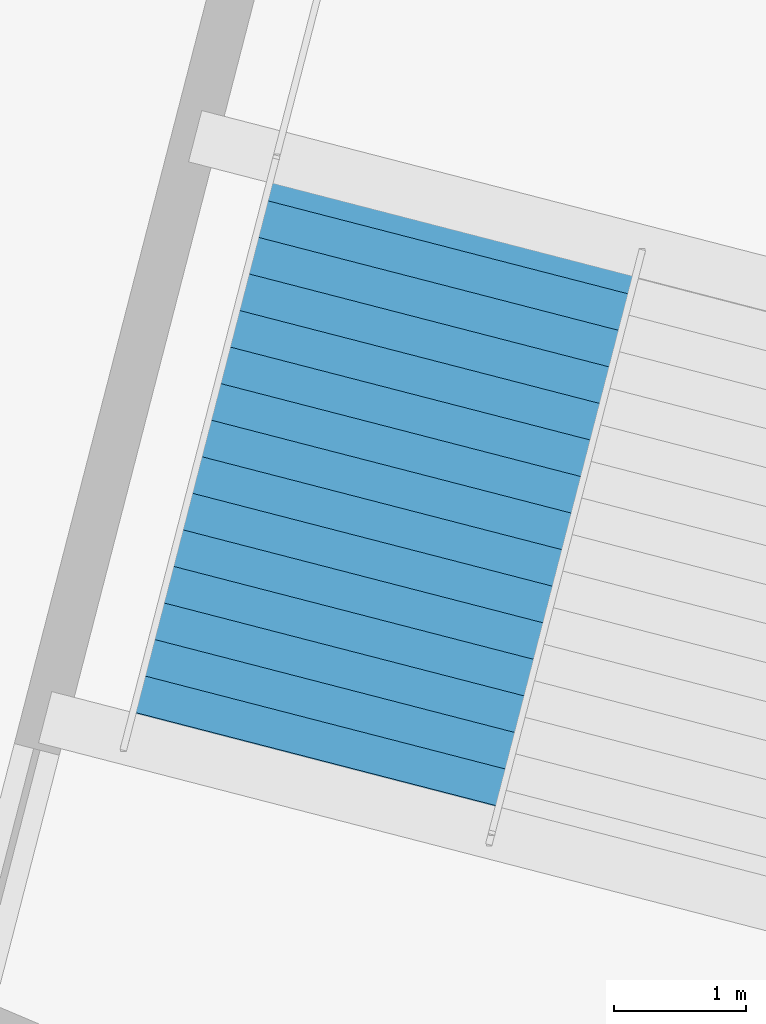
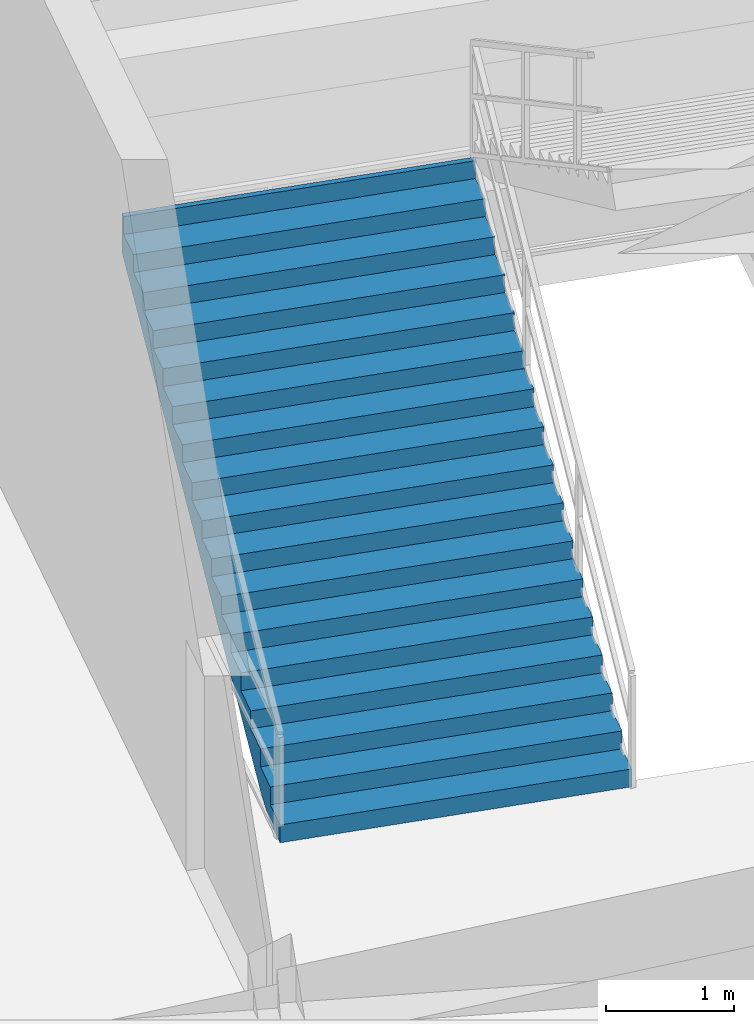
# One storey, part 29 of 48: 1 stair flight, 1 element without a shape of its own.
"""IFC4 building model written with IfcOpenShell, lengths in metres."""

from ifc_helpers import new_model, si_unit, direction, frame, origin, place, context, subcontext, project, spatial, polygons, material, type_object, element, aggregate, save


model = new_model("IFC4")

# Units and contexts
model_context = context("Model", 3, precision=1e-05, world=origin(), true_north=direction((0.0, 1.0)))
body_context = subcontext(model_context, "Body", "Model", "MODEL_VIEW")
ifc_project = project(units=[si_unit("LENGTHUNIT", "METRE"), si_unit("AREAUNIT", "SQUARE_METRE"), si_unit("VOLUMEUNIT", "CUBIC_METRE"), si_unit("PLANEANGLEUNIT", "RADIAN"), si_unit("MASSUNIT", "GRAM", prefix="KILO")], contexts=[model_context])

# Site, building, storey
site_placement = place(None, origin())
site = spatial("IfcSite", under=ifc_project, at=site_placement, CompositionType="ELEMENT")
building_placement = place(site_placement, origin())
building = spatial("IfcBuilding", under=site, at=building_placement, Name="Kazemori Nagisa Stadium", CompositionType="ELEMENT")
storey_placement = place(building_placement, origin())
storey = spatial("IfcBuildingStorey", under=building, at=storey_placement, Name="L00", CompositionType="ELEMENT", Elevation=0.0)

# Stair, stair flight
ifc_material = material(Name="Concrete C36/45 (Fc36)", Category="concrete")
stair_type = type_object("IfcStairType", Name="Stair_CORE_34", PredefinedType="TWO_STRAIGHT_RUN_STAIR", material=ifc_material)
stair_placement = place(storey_placement, origin())
stair = element("IfcStair", 1, at=stair_placement, inside=storey, type_object=stair_type, Name="Exit stair ST10 L00", PredefinedType="TWO_STRAIGHT_RUN_STAIR")
stair_flight_type = type_object("IfcStairFlightType", Name="Flight_CORE_17", PredefinedType="STRAIGHT", material=ifc_material)
stair_flight_placement = place(storey_placement, frame((205.068359375, 69.982666015625, 0.0), z_axis=(0.0, 0.0, 1.0), x_axis=(0.24997355226, 0.968252664944, 0.0)))
stair_flight = element("IfcStairFlight", 2, at=stair_flight_placement, type_object=stair_flight_type, Name="Exit stair ST10 L00 flight 1", NumberOfRisers=17, NumberOfTreads=16, PredefinedType="STRAIGHT", RiserHeight=0.17, TreadLength=0.285, context=body_context, shape_type="Tessellation", body=[
    polygons([(0.0, -1.425048828125, 0.0), (0.0, -1.425048828125, 0.169921875), (0.284912109375, -1.425048828125, 0.169921875), (0.284912109375, -1.425048828125, 0.340087890625), (0.570068359375, -1.425048828125, 0.340087890625), (0.570068359375, -1.425048828125, 0.510009765625), (0.85498046875, -1.425048828125, 0.510009765625), (0.85498046875, -1.425048828125, 0.679931640625), (1.139892578125, -1.425048828125, 0.679931640625), (1.139892578125, -1.425048828125, 0.85009765625), (1.425048828125, -1.425048828125, 0.85009765625), (1.425048828125, -1.425048828125, 1.02001953125), (1.7099609375, -1.425048828125, 1.02001953125), (1.7099609375, -1.425048828125, 1.18994140625), (1.9951171875, -1.425048828125, 1.18994140625), (1.9951171875, -1.425048828125, 1.360107421875), (2.280029296875, -1.425048828125, 1.360107421875), (2.280029296875, -1.425048828125, 1.530029296875), (2.56494140625, -1.425048828125, 1.530029296875), (2.56494140625, -1.425048828125, 1.699951171875), (2.85009765625, -1.425048828125, 1.699951171875), (2.85009765625, -1.425048828125, 1.8701171875), (3.135009765625, -1.425048828125, 1.8701171875), (3.135009765625, -1.425048828125, 2.0400390625), (3.419921875, -1.425048828125, 2.0400390625), (3.419921875, -1.425048828125, 2.2099609375), (3.705078125, -1.425048828125, 2.2099609375), (3.705078125, -1.425048828125, 2.3798828125), (3.989990234375, -1.425048828125, 2.3798828125), (3.989990234375, -1.425048828125, 2.550048828125), (4.27490234375, -1.425048828125, 2.550048828125), (4.27490234375, -1.425048828125, 2.719970703125), (4.56005859375, -1.425048828125, 2.719970703125), (4.56005859375, -1.425048828125, 2.889892578125), (4.610107421875, -1.425048828125, 2.889892578125), (4.610107421875, -1.425048828125, 2.51708984375), (4.56005859375, -1.425048828125, 2.487060546875), (4.27490234375, -1.425048828125, 2.317138671875), (3.989990234375, -1.425048828125, 2.147216796875), (3.705078125, -1.425048828125, 1.977294921875), (3.419921875, -1.425048828125, 1.80712890625), (3.135009765625, -1.425048828125, 1.63720703125), (2.85009765625, -1.425048828125, 1.46728515625), (2.56494140625, -1.425048828125, 1.297119140625), (2.280029296875, -1.425048828125, 1.127197265625), (1.9951171875, -1.425048828125, 0.957275390625), (1.7099609375, -1.425048828125, 0.787109375), (1.425048828125, -1.425048828125, 0.6171875), (1.139892578125, -1.425048828125, 0.447265625), (0.85498046875, -1.425048828125, 0.277099609375), (0.570068359375, -1.425048828125, 0.107177734375), (0.284912109375, -1.425048828125, 0.0), (0.0, -0.08544921875, 0.0), (0.0, -0.08544921875, 0.169921875), (0.284912109375, -0.08544921875, 0.169921875), (0.284912109375, -0.08544921875, 0.340087890625), (0.570068359375, -0.08544921875, 0.340087890625), (0.570068359375, -0.08544921875, 0.510009765625), (0.85498046875, -0.08544921875, 0.510009765625), (0.85498046875, -0.08544921875, 0.679931640625), (1.139892578125, -0.08544921875, 0.679931640625), (1.139892578125, -0.08544921875, 0.85009765625), (1.425048828125, -0.08544921875, 0.85009765625), (1.425048828125, -0.08544921875, 1.02001953125), (1.7099609375, -0.08544921875, 1.02001953125), (1.7099609375, -0.08544921875, 1.18994140625), (1.9951171875, -0.08544921875, 1.18994140625), (1.9951171875, -0.08544921875, 1.360107421875), (2.280029296875, -0.08544921875, 1.360107421875), (2.280029296875, -0.08544921875, 1.530029296875), (2.56494140625, -0.08544921875, 1.530029296875), (2.56494140625, -0.08544921875, 1.699951171875), (2.85009765625, -0.08544921875, 1.699951171875), (2.85009765625, -0.08544921875, 1.8701171875), (3.135009765625, -0.08544921875, 1.8701171875), (3.135009765625, -0.08544921875, 2.0400390625), (3.419921875, -0.08544921875, 2.0400390625), (3.419921875, -0.08544921875, 2.2099609375), (3.705078125, -0.08544921875, 2.2099609375), (3.705078125, -0.08544921875, 2.3798828125), (3.989990234375, -0.08544921875, 2.3798828125), (3.989990234375, -0.08544921875, 2.550048828125), (4.27490234375, -0.08544921875, 2.550048828125), (4.27490234375, -0.08544921875, 2.719970703125), (4.56005859375, -0.08544921875, 2.719970703125), (4.56005859375, -0.08544921875, 2.889892578125), (4.610107421875, -0.08544921875, 2.889892578125), (4.610107421875, -0.08544921875, 2.51708984375), (4.56005859375, -0.08544921875, 2.487060546875), (4.27490234375, -0.08544921875, 2.317138671875), (3.989990234375, -0.08544921875, 2.147216796875), (3.705078125, -0.08544921875, 1.977294921875), (3.419921875, -0.08544921875, 1.80712890625), (3.135009765625, -0.08544921875, 1.63720703125), (2.85009765625, -0.08544921875, 1.46728515625), (2.56494140625, -0.08544921875, 1.297119140625), (2.280029296875, -0.08544921875, 1.127197265625), (1.9951171875, -0.08544921875, 0.957275390625), (1.7099609375, -0.08544921875, 0.787109375), (1.425048828125, -0.08544921875, 0.6171875), (1.139892578125, -0.08544921875, 0.447265625), (0.85498046875, -0.08544921875, 0.277099609375), (0.570068359375, -0.08544921875, 0.107177734375), (0.284912109375, -0.08544921875, 0.0), (0.0, 0.0, 0.0), (0.0, 0.0, 0.169921875), (0.284912109375, 0.0, 0.169921875), (0.284912109375, 0.0, 0.340087890625), (0.570068359375, 0.0, 0.340087890625), (0.570068359375, 0.0, 0.510009765625), (0.85498046875, 0.0, 0.510009765625), (0.85498046875, 0.0, 0.679931640625), (1.139892578125, 0.0, 0.679931640625), (1.139892578125, 0.0, 0.85009765625), (1.425048828125, 0.0, 0.85009765625), (1.425048828125, 0.0, 1.02001953125), (1.7099609375, 0.0, 1.02001953125), (1.7099609375, 0.0, 1.18994140625), (1.9951171875, 0.0, 1.18994140625), (1.9951171875, 0.0, 1.360107421875), (2.280029296875, 0.0, 1.360107421875), (2.280029296875, 0.0, 1.530029296875), (2.56494140625, 0.0, 1.530029296875), (2.56494140625, 0.0, 1.699951171875), (2.85009765625, 0.0, 1.699951171875), (2.85009765625, 0.0, 1.8701171875), (3.135009765625, 0.0, 1.8701171875), (3.135009765625, 0.0, 2.0400390625), (3.419921875, 0.0, 2.0400390625), (3.419921875, 0.0, 2.2099609375), (3.705078125, 0.0, 2.2099609375), (3.705078125, 0.0, 2.3798828125), (3.989990234375, 0.0, 2.3798828125), (3.989990234375, 0.0, 2.550048828125), (4.27490234375, 0.0, 2.550048828125), (4.27490234375, 0.0, 2.719970703125), (4.56005859375, 0.0, 2.719970703125), (4.56005859375, 0.0, 2.889892578125), (4.610107421875, 0.0, 2.889892578125), (4.610107421875, 0.0, 2.51708984375), (4.56005859375, 0.0, 2.487060546875), (4.27490234375, 0.0, 2.317138671875), (3.989990234375, 0.0, 2.147216796875), (3.705078125, 0.0, 1.977294921875), (3.419921875, 0.0, 1.80712890625), (3.135009765625, 0.0, 1.63720703125), (2.85009765625, 0.0, 1.46728515625), (2.56494140625, 0.0, 1.297119140625), (2.280029296875, 0.0, 1.127197265625), (1.9951171875, 0.0, 0.957275390625), (1.7099609375, 0.0, 0.787109375), (1.425048828125, 0.0, 0.6171875), (1.139892578125, 0.0, 0.447265625), (0.85498046875, 0.0, 0.277099609375), (0.570068359375, 0.0, 0.107177734375), (0.284912109375, 0.0, 0.0), (0.0, 0.08544921875, 0.0), (0.0, 0.08544921875, 0.169921875), (0.284912109375, 0.08544921875, 0.169921875), (0.284912109375, 0.08544921875, 0.340087890625), (0.570068359375, 0.08544921875, 0.340087890625), (0.570068359375, 0.08544921875, 0.510009765625), (0.85498046875, 0.08544921875, 0.510009765625), (0.85498046875, 0.08544921875, 0.679931640625), (1.139892578125, 0.08544921875, 0.679931640625), (1.139892578125, 0.08544921875, 0.85009765625), (1.425048828125, 0.08544921875, 0.85009765625), (1.425048828125, 0.08544921875, 1.02001953125), (1.7099609375, 0.08544921875, 1.02001953125), (1.7099609375, 0.08544921875, 1.18994140625), (1.9951171875, 0.08544921875, 1.18994140625), (1.9951171875, 0.08544921875, 1.360107421875), (2.280029296875, 0.08544921875, 1.360107421875), (2.280029296875, 0.08544921875, 1.530029296875), (2.56494140625, 0.08544921875, 1.530029296875), (2.56494140625, 0.08544921875, 1.699951171875), (2.85009765625, 0.08544921875, 1.699951171875), (2.85009765625, 0.08544921875, 1.8701171875), (3.135009765625, 0.08544921875, 1.8701171875), (3.135009765625, 0.08544921875, 2.0400390625), (3.419921875, 0.08544921875, 2.0400390625), (3.419921875, 0.08544921875, 2.2099609375), (3.705078125, 0.08544921875, 2.2099609375), (3.705078125, 0.08544921875, 2.3798828125), (3.989990234375, 0.08544921875, 2.3798828125), (3.989990234375, 0.08544921875, 2.550048828125), (4.27490234375, 0.08544921875, 2.550048828125), (4.27490234375, 0.08544921875, 2.719970703125), (4.56005859375, 0.08544921875, 2.719970703125), (4.56005859375, 0.08544921875, 2.889892578125), (4.610107421875, 0.08544921875, 2.889892578125), (4.610107421875, 0.08544921875, 2.51708984375), (4.56005859375, 0.08544921875, 2.487060546875), (4.27490234375, 0.08544921875, 2.317138671875), (3.989990234375, 0.08544921875, 2.147216796875), (3.705078125, 0.08544921875, 1.977294921875), (3.419921875, 0.08544921875, 1.80712890625), (3.135009765625, 0.08544921875, 1.63720703125), (2.85009765625, 0.08544921875, 1.46728515625), (2.56494140625, 0.08544921875, 1.297119140625), (2.280029296875, 0.08544921875, 1.127197265625), (1.9951171875, 0.08544921875, 0.957275390625), (1.7099609375, 0.08544921875, 0.787109375), (1.425048828125, 0.08544921875, 0.6171875), (1.139892578125, 0.08544921875, 0.447265625), (0.85498046875, 0.08544921875, 0.277099609375), (0.570068359375, 0.08544921875, 0.107177734375), (0.284912109375, 0.08544921875, 0.0), (0.0, 1.425048828125, 0.0), (0.0, 1.425048828125, 0.169921875), (0.284912109375, 1.425048828125, 0.169921875), (0.284912109375, 1.425048828125, 0.340087890625), (0.570068359375, 1.425048828125, 0.340087890625), (0.570068359375, 1.425048828125, 0.510009765625), (0.85498046875, 1.425048828125, 0.510009765625), (0.85498046875, 1.425048828125, 0.679931640625), (1.139892578125, 1.425048828125, 0.679931640625), (1.139892578125, 1.425048828125, 0.85009765625), (1.425048828125, 1.425048828125, 0.85009765625), (1.425048828125, 1.425048828125, 1.02001953125), (1.7099609375, 1.425048828125, 1.02001953125), (1.7099609375, 1.425048828125, 1.18994140625), (1.9951171875, 1.425048828125, 1.18994140625), (1.9951171875, 1.425048828125, 1.360107421875), (2.280029296875, 1.425048828125, 1.360107421875), (2.280029296875, 1.425048828125, 1.530029296875), (2.56494140625, 1.425048828125, 1.530029296875), (2.56494140625, 1.425048828125, 1.699951171875), (2.85009765625, 1.425048828125, 1.699951171875), (2.85009765625, 1.425048828125, 1.8701171875), (3.135009765625, 1.425048828125, 1.8701171875), (3.135009765625, 1.425048828125, 2.0400390625), (3.419921875, 1.425048828125, 2.0400390625), (3.419921875, 1.425048828125, 2.2099609375), (3.705078125, 1.425048828125, 2.2099609375), (3.705078125, 1.425048828125, 2.3798828125), (3.989990234375, 1.425048828125, 2.3798828125), (3.989990234375, 1.425048828125, 2.550048828125), (4.27490234375, 1.425048828125, 2.550048828125), (4.27490234375, 1.425048828125, 2.719970703125), (4.56005859375, 1.425048828125, 2.719970703125), (4.56005859375, 1.425048828125, 2.889892578125), (4.610107421875, 1.425048828125, 2.889892578125), (4.610107421875, 1.425048828125, 2.51708984375), (4.56005859375, 1.425048828125, 2.487060546875), (4.27490234375, 1.425048828125, 2.317138671875), (3.989990234375, 1.425048828125, 2.147216796875), (3.705078125, 1.425048828125, 1.977294921875), (3.419921875, 1.425048828125, 1.80712890625), (3.135009765625, 1.425048828125, 1.63720703125), (2.85009765625, 1.425048828125, 1.46728515625), (2.56494140625, 1.425048828125, 1.297119140625), (2.280029296875, 1.425048828125, 1.127197265625), (1.9951171875, 1.425048828125, 0.957275390625), (1.7099609375, 1.425048828125, 0.787109375), (1.425048828125, 1.425048828125, 0.6171875), (1.139892578125, 1.425048828125, 0.447265625), (0.85498046875, 1.425048828125, 0.277099609375), (0.570068359375, 1.425048828125, 0.107177734375), (0.284912109375, 1.425048828125, 0.0)], [[[1, 2, 54]], [[1, 54, 53]], [[2, 3, 55]], [[2, 55, 54]], [[3, 4, 56]], [[3, 56, 55]], [[4, 5, 57]], [[4, 57, 56]], [[5, 6, 58]], [[5, 58, 57]], [[6, 7, 59]], [[6, 59, 58]], [[7, 8, 60]], [[7, 60, 59]], [[8, 9, 61]], [[8, 61, 60]], [[9, 10, 62]], [[9, 62, 61]], [[10, 11, 63]], [[10, 63, 62]], [[11, 12, 64]], [[11, 64, 63]], [[12, 13, 65]], [[12, 65, 64]], [[13, 14, 66]], [[13, 66, 65]], [[14, 15, 67]], [[14, 67, 66]], [[15, 16, 68]], [[15, 68, 67]], [[16, 17, 69]], [[16, 69, 68]], [[17, 18, 70]], [[17, 70, 69]], [[18, 19, 71]], [[18, 71, 70]], [[19, 20, 72]], [[19, 72, 71]], [[20, 21, 73]], [[20, 73, 72]], [[21, 22, 74]], [[21, 74, 73]], [[22, 23, 75]], [[22, 75, 74]], [[23, 24, 76]], [[23, 76, 75]], [[24, 25, 77]], [[24, 77, 76]], [[25, 26, 78]], [[25, 78, 77]], [[26, 27, 79]], [[26, 79, 78]], [[27, 28, 80]], [[27, 80, 79]], [[28, 29, 81]], [[28, 81, 80]], [[29, 30, 82]], [[29, 82, 81]], [[30, 31, 83]], [[30, 83, 82]], [[31, 32, 84]], [[31, 84, 83]], [[32, 33, 85]], [[32, 85, 84]], [[33, 34, 86]], [[33, 86, 85]], [[34, 35, 87]], [[34, 87, 86]], [[35, 36, 88]], [[35, 88, 87]], [[36, 37, 89]], [[36, 89, 88]], [[37, 38, 90]], [[37, 90, 89]], [[38, 39, 91]], [[38, 91, 90]], [[39, 40, 92]], [[39, 92, 91]], [[40, 41, 93]], [[40, 93, 92]], [[41, 42, 94]], [[41, 94, 93]], [[42, 43, 95]], [[42, 95, 94]], [[43, 44, 96]], [[43, 96, 95]], [[44, 45, 97]], [[44, 97, 96]], [[45, 46, 98]], [[45, 98, 97]], [[46, 47, 99]], [[46, 99, 98]], [[47, 48, 100]], [[47, 100, 99]], [[48, 49, 101]], [[48, 101, 100]], [[49, 50, 102]], [[49, 102, 101]], [[50, 51, 103]], [[50, 103, 102]], [[51, 52, 104]], [[51, 104, 103]], [[52, 1, 53]], [[52, 53, 104]], [[53, 54, 106]], [[53, 106, 105]], [[54, 55, 107]], [[54, 107, 106]], [[55, 56, 108]], [[55, 108, 107]], [[56, 57, 109]], [[56, 109, 108]], [[57, 58, 110]], [[57, 110, 109]], [[58, 59, 111]], [[58, 111, 110]], [[59, 60, 112]], [[59, 112, 111]], [[60, 61, 113]], [[60, 113, 112]], [[61, 62, 114]], [[61, 114, 113]], [[62, 63, 115]], [[62, 115, 114]], [[63, 64, 116]], [[63, 116, 115]], [[64, 65, 117]], [[64, 117, 116]], [[65, 66, 118]], [[65, 118, 117]], [[66, 67, 119]], [[66, 119, 118]], [[67, 68, 120]], [[67, 120, 119]], [[68, 69, 121]], [[68, 121, 120]], [[69, 70, 122]], [[69, 122, 121]], [[70, 71, 123]], [[70, 123, 122]], [[71, 72, 124]], [[71, 124, 123]], [[72, 73, 125]], [[72, 125, 124]], [[73, 74, 126]], [[73, 126, 125]], [[74, 75, 127]], [[74, 127, 126]], [[75, 76, 128]], [[75, 128, 127]], [[76, 77, 129]], [[76, 129, 128]], [[77, 78, 130]], [[77, 130, 129]], [[78, 79, 131]], [[78, 131, 130]], [[79, 80, 132]], [[79, 132, 131]], [[80, 81, 133]], [[80, 133, 132]], [[81, 82, 134]], [[81, 134, 133]], [[82, 83, 135]], [[82, 135, 134]], [[83, 84, 136]], [[83, 136, 135]], [[84, 85, 137]], [[84, 137, 136]], [[85, 86, 138]], [[85, 138, 137]], [[86, 87, 139]], [[86, 139, 138]], [[87, 88, 140]], [[87, 140, 139]], [[88, 89, 141]], [[88, 141, 140]], [[89, 90, 142]], [[89, 142, 141]], [[90, 91, 143]], [[90, 143, 142]], [[91, 92, 144]], [[91, 144, 143]], [[92, 93, 145]], [[92, 145, 144]], [[93, 94, 146]], [[93, 146, 145]], [[94, 95, 147]], [[94, 147, 146]], [[95, 96, 148]], [[95, 148, 147]], [[96, 97, 149]], [[96, 149, 148]], [[97, 98, 150]], [[97, 150, 149]], [[98, 99, 151]], [[98, 151, 150]], [[99, 100, 152]], [[99, 152, 151]], [[100, 101, 153]], [[100, 153, 152]], [[101, 102, 154]], [[101, 154, 153]], [[102, 103, 155]], [[102, 155, 154]], [[103, 104, 156]], [[103, 156, 155]], [[104, 53, 105]], [[104, 105, 156]], [[105, 106, 158]], [[105, 158, 157]], [[106, 107, 159]], [[106, 159, 158]], [[107, 108, 160]], [[107, 160, 159]], [[108, 109, 161]], [[108, 161, 160]], [[109, 110, 162]], [[109, 162, 161]], [[110, 111, 163]], [[110, 163, 162]], [[111, 112, 164]], [[111, 164, 163]], [[112, 113, 165]], [[112, 165, 164]], [[113, 114, 166]], [[113, 166, 165]], [[114, 115, 167]], [[114, 167, 166]], [[115, 116, 168]], [[115, 168, 167]], [[116, 117, 169]], [[116, 169, 168]], [[117, 118, 170]], [[117, 170, 169]], [[118, 119, 171]], [[118, 171, 170]], [[119, 120, 172]], [[119, 172, 171]], [[120, 121, 173]], [[120, 173, 172]], [[121, 122, 174]], [[121, 174, 173]], [[122, 123, 175]], [[122, 175, 174]], [[123, 124, 176]], [[123, 176, 175]], [[124, 125, 177]], [[124, 177, 176]], [[125, 126, 178]], [[125, 178, 177]], [[126, 127, 179]], [[126, 179, 178]], [[127, 128, 180]], [[127, 180, 179]], [[128, 129, 181]], [[128, 181, 180]], [[129, 130, 182]], [[129, 182, 181]], [[130, 131, 183]], [[130, 183, 182]], [[131, 132, 184]], [[131, 184, 183]], [[132, 133, 185]], [[132, 185, 184]], [[133, 134, 186]], [[133, 186, 185]], [[134, 135, 187]], [[134, 187, 186]], [[135, 136, 188]], [[135, 188, 187]], [[136, 137, 189]], [[136, 189, 188]], [[137, 138, 190]], [[137, 190, 189]], [[138, 139, 191]], [[138, 191, 190]], [[139, 140, 192]], [[139, 192, 191]], [[140, 141, 193]], [[140, 193, 192]], [[141, 142, 194]], [[141, 194, 193]], [[142, 143, 195]], [[142, 195, 194]], [[143, 144, 196]], [[143, 196, 195]], [[144, 145, 197]], [[144, 197, 196]], [[145, 146, 198]], [[145, 198, 197]], [[146, 147, 199]], [[146, 199, 198]], [[147, 148, 200]], [[147, 200, 199]], [[148, 149, 201]], [[148, 201, 200]], [[149, 150, 202]], [[149, 202, 201]], [[150, 151, 203]], [[150, 203, 202]], [[151, 152, 204]], [[151, 204, 203]], [[152, 153, 205]], [[152, 205, 204]], [[153, 154, 206]], [[153, 206, 205]], [[154, 155, 207]], [[154, 207, 206]], [[155, 156, 208]], [[155, 208, 207]], [[156, 105, 157]], [[156, 157, 208]], [[157, 158, 210]], [[157, 210, 209]], [[158, 159, 211]], [[158, 211, 210]], [[159, 160, 212]], [[159, 212, 211]], [[160, 161, 213]], [[160, 213, 212]], [[161, 162, 214]], [[161, 214, 213]], [[162, 163, 215]], [[162, 215, 214]], [[163, 164, 216]], [[163, 216, 215]], [[164, 165, 217]], [[164, 217, 216]], [[165, 166, 218]], [[165, 218, 217]], [[166, 167, 219]], [[166, 219, 218]], [[167, 168, 220]], [[167, 220, 219]], [[168, 169, 221]], [[168, 221, 220]], [[169, 170, 222]], [[169, 222, 221]], [[170, 171, 223]], [[170, 223, 222]], [[171, 172, 224]], [[171, 224, 223]], [[172, 173, 225]], [[172, 225, 224]], [[173, 174, 226]], [[173, 226, 225]], [[174, 175, 227]], [[174, 227, 226]], [[175, 176, 228]], [[175, 228, 227]], [[176, 177, 229]], [[176, 229, 228]], [[177, 178, 230]], [[177, 230, 229]], [[178, 179, 231]], [[178, 231, 230]], [[179, 180, 232]], [[179, 232, 231]], [[180, 181, 233]], [[180, 233, 232]], [[181, 182, 234]], [[181, 234, 233]], [[182, 183, 235]], [[182, 235, 234]], [[183, 184, 236]], [[183, 236, 235]], [[184, 185, 237]], [[184, 237, 236]], [[185, 186, 238]], [[185, 238, 237]], [[186, 187, 239]], [[186, 239, 238]], [[187, 188, 240]], [[187, 240, 239]], [[188, 189, 241]], [[188, 241, 240]], [[189, 190, 242]], [[189, 242, 241]], [[190, 191, 243]], [[190, 243, 242]], [[191, 192, 244]], [[191, 244, 243]], [[192, 193, 245]], [[192, 245, 244]], [[193, 194, 246]], [[193, 246, 245]], [[194, 195, 247]], [[194, 247, 246]], [[195, 196, 248]], [[195, 248, 247]], [[196, 197, 249]], [[196, 249, 248]], [[197, 198, 250]], [[197, 250, 249]], [[198, 199, 251]], [[198, 251, 250]], [[199, 200, 252]], [[199, 252, 251]], [[200, 201, 253]], [[200, 253, 252]], [[201, 202, 254]], [[201, 254, 253]], [[202, 203, 255]], [[202, 255, 254]], [[203, 204, 256]], [[203, 256, 255]], [[204, 205, 257]], [[204, 257, 256]], [[205, 206, 258]], [[205, 258, 257]], [[206, 207, 259]], [[206, 259, 258]], [[207, 208, 260]], [[207, 260, 259]], [[208, 157, 209]], [[208, 209, 260]], [[3, 2, 1]], [[209, 210, 211]], [[52, 3, 1]], [[209, 211, 260]], [[51, 3, 52]], [[260, 211, 259]], [[5, 3, 51]], [[259, 211, 213]], [[5, 4, 3]], [[211, 212, 213]], [[50, 5, 51]], [[259, 213, 258]], [[7, 5, 50]], [[258, 213, 215]], [[7, 6, 5]], [[213, 214, 215]], [[49, 7, 50]], [[258, 215, 257]], [[9, 7, 49]], [[257, 215, 217]], [[9, 8, 7]], [[215, 216, 217]], [[48, 9, 49]], [[257, 217, 256]], [[11, 9, 48]], [[256, 217, 219]], [[11, 10, 9]], [[217, 218, 219]], [[47, 11, 48]], [[256, 219, 255]], [[13, 11, 47]], [[255, 219, 221]], [[13, 12, 11]], [[219, 220, 221]], [[46, 13, 47]], [[255, 221, 254]], [[15, 13, 46]], [[254, 221, 223]], [[15, 14, 13]], [[221, 222, 223]], [[45, 15, 46]], [[254, 223, 253]], [[17, 15, 45]], [[253, 223, 225]], [[17, 16, 15]], [[223, 224, 225]], [[44, 17, 45]], [[253, 225, 252]], [[19, 17, 44]], [[252, 225, 227]], [[19, 18, 17]], [[225, 226, 227]], [[43, 19, 44]], [[252, 227, 251]], [[21, 19, 43]], [[251, 227, 229]], [[21, 20, 19]], [[227, 228, 229]], [[42, 21, 43]], [[251, 229, 250]], [[23, 21, 42]], [[250, 229, 231]], [[23, 22, 21]], [[229, 230, 231]], [[41, 23, 42]], [[250, 231, 249]], [[25, 23, 41]], [[249, 231, 233]], [[25, 24, 23]], [[231, 232, 233]], [[40, 25, 41]], [[249, 233, 248]], [[27, 25, 40]], [[248, 233, 235]], [[27, 26, 25]], [[233, 234, 235]], [[39, 27, 40]], [[248, 235, 247]], [[29, 27, 39]], [[247, 235, 237]], [[29, 28, 27]], [[235, 236, 237]], [[38, 29, 39]], [[247, 237, 246]], [[31, 29, 38]], [[246, 237, 239]], [[31, 30, 29]], [[237, 238, 239]], [[37, 31, 38]], [[246, 239, 245]], [[33, 31, 37]], [[245, 239, 241]], [[33, 32, 31]], [[239, 240, 241]], [[36, 33, 37]], [[245, 241, 244]], [[35, 33, 36]], [[244, 241, 243]], [[35, 34, 33]], [[241, 242, 243]]], closed=True),
])
aggregate(stair, [stair_flight])

save(model, "model.ifc")
